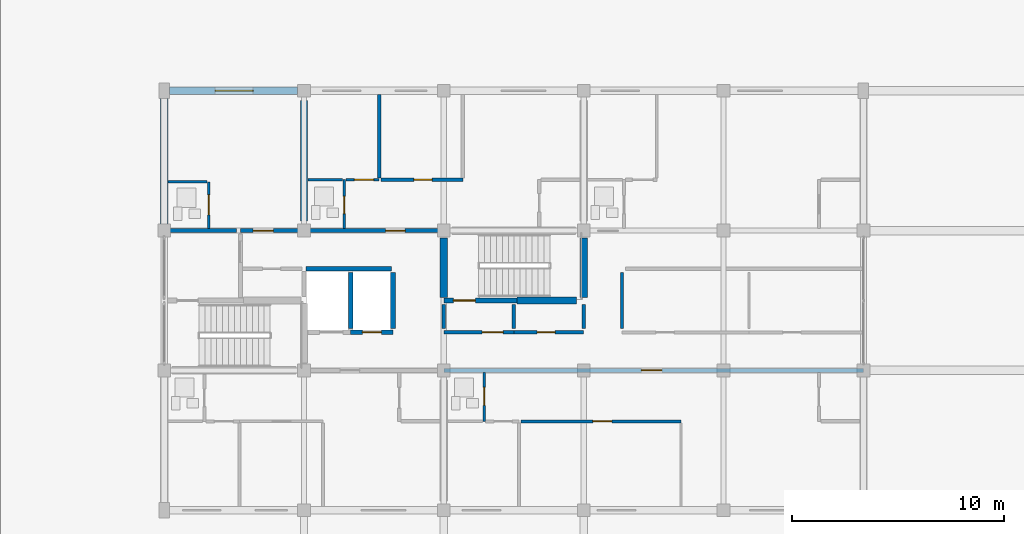
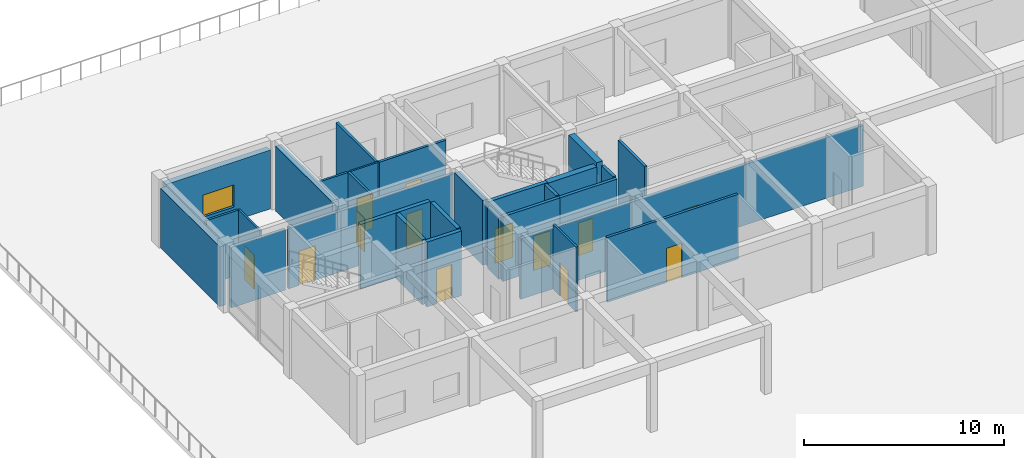
# One storey, part 72 of 92: 30 walls, 13 doors, 1 window, 14 openings.
"""IFC4 building model written with IfcOpenShell, lengths in metres."""

from ifc_helpers import new_model, si_unit, direction, frame, frame_2d, origin, place, context, subcontext, project, spatial, rectangle, extrude, material, layer, layer_set, type_object, element, fill, save


model = new_model("IFC4")

# Units and contexts
model_context = context("Model", 3, precision=1e-05, world=origin(), true_north=direction((0.0, 1.0)))
body_context = subcontext(model_context, "Body", "Model", "MODEL_VIEW")
ifc_project = project(units=[si_unit("LENGTHUNIT", "METRE"), si_unit("AREAUNIT", "SQUARE_METRE"), si_unit("VOLUMEUNIT", "CUBIC_METRE"), si_unit("PLANEANGLEUNIT", "RADIAN"), si_unit("MASSUNIT", "GRAM", prefix="KILO")], contexts=[model_context])

# Site, building, storey
site_placement = place(None, origin())
site = spatial("IfcSite", under=ifc_project, at=site_placement, CompositionType="ELEMENT")
building_placement = place(site_placement, origin())
building = spatial("IfcBuilding", under=site, at=building_placement, Name="Kernevlak Ridge Housing Community", CompositionType="ELEMENT")
storey_placement = place(building_placement, frame((0.0, 0.0, 4.199951171875)))
storey = spatial("IfcBuildingStorey", under=building, at=storey_placement, Name="L01", CompositionType="ELEMENT", Elevation=4.199951171875)

# Wall, opening, window
ifc_material_1 = material(Name="Concrete block masonry M10", Category="masonry")
ifc_layer_1 = layer(ifc_material_1, 0.340087890625, Name="Concrete block masonry M10")
ifc_layer_set_1 = layer_set([ifc_layer_1], Name="Concrete block masonry M10")
wall_type_1 = type_object("IfcWallType", Name="EW-04", PredefinedType="STANDARD", material=ifc_layer_set_1)
wall_1_placement = place(storey_placement, frame((15.85009765625, 95.800048828125, 0.0), z_axis=(0.0, 0.0, 1.0), x_axis=(1.0, 0.0, 0.0)))
wall_1 = element("IfcWall", 1, at=wall_1_placement, inside=storey, type_object=wall_type_1, Name="Exterior wall EW-04 L01 20", PredefinedType="STANDARD", context=body_context, shape_type="SweptSolid", body=[
    extrude(rectangle(XDim=6.0498046875, YDim=0.340087890625, at=frame_2d((3.02490234375, 0.0))), origin(), (0.0, 0.0, 1.0), 3.60009765625),
])
opening_1_placement = place(wall_1_placement, frame((2.14990234375, 0.0, 0.85009765625)))
opening_1 = element("IfcOpeningElement", 2, at=opening_1_placement, cuts=wall_1, Name="Opening WT-03", PredefinedType="OPENING", context=body_context, shape_type="SweptSolid", body=[
    extrude(rectangle(XDim=1.800048828125, YDim=1.35009765625, at=frame_2d((0.89990234375, 0.675048828125))), frame((0.0, 0.179931640625, 0.0), z_axis=(0.0, -1.0, 0.0), x_axis=(1.0, 0.0, 0.0)), (0.0, 0.0, 1.0), 0.360107421875),
])
ifc_material_2 = material(Name="Aluminium EN AW-6060 anodised and laminated glass", Category="aluminium")
window_type = type_object("IfcWindowType", Name="WT-03", PartitioningType="SINGLE_PANEL", PredefinedType="WINDOW", material=ifc_material_2)
window_placement = place(opening_1_placement, origin())
window = element("IfcWindow", 3, at=window_placement, inside=storey, type_object=window_type, Name="Window WT-03 L01 16", OverallHeight=1.35009765625, OverallWidth=1.800048828125, PartitioningType="SINGLE_PANEL", PredefinedType="WINDOW", context=body_context, shape_type="SweptSolid", body=[
    extrude(rectangle(XDim=1.800048828125, YDim=1.35009765625, at=frame_2d((0.89990234375, 0.675048828125))), frame((0.0, 0.030029296875, 0.0), z_axis=(0.0, -1.0, 0.0), x_axis=(1.0, 0.0, 0.0)), (0.0, 0.0, 1.0), 0.06005859375),
])
fill(opening_1, window)

# Wall
wall_2_placement = place(storey_placement, frame((15.60009765625, 89.5, 0.0), z_axis=(0.0, 0.0, 1.0), x_axis=(0.0, 1.0, 0.0)))
element("IfcWall", 4, at=wall_2_placement, inside=storey, type_object=wall_type_1, Name="Exterior wall EW-04 L01 26", PredefinedType="STANDARD", context=body_context, shape_type="SweptSolid", body=[
    extrude(rectangle(XDim=5.925048828125, YDim=0.340087890625, at=frame_2d((2.96240234375, 0.0))), origin(), (0.0, 0.0, 1.0), 3.650146484375),
])

# Wall, opening, door
ifc_material_3 = material(Name="Concrete C35/45", Category="concrete")
ifc_layer_2 = layer(ifc_material_3, 0.22509765625, Name="Concrete C35/45")
ifc_layer_set_2 = layer_set([ifc_layer_2], Name="Concrete C35/45")
wall_type_2 = type_object("IfcWallType", Name="PW-01", PredefinedType="STANDARD", material=ifc_layer_set_2)
wall_3_placement = place(storey_placement, frame((24.39990234375, 84.39990234375, 0.0), z_axis=(0.0, 0.0, 1.0), x_axis=(1.0, 0.0, 0.0)))
wall_3 = element("IfcWall", 5, at=wall_3_placement, inside=storey, type_object=wall_type_2, Name="Interior wall PW-01 WAL-INT-L01-0078", PredefinedType="STANDARD", context=body_context, shape_type="SweptSolid", body=[
    extrude(rectangle(XDim=2.0, YDim=0.22509765625, at=frame_2d((1.0, 0.0))), origin(), (0.0, 0.0, 1.0), 3.9599609375),
])
opening_2_placement = place(wall_3_placement, frame((0.550048828125, 0.0, 0.0)))
opening_2 = element("IfcOpeningElement", 6, at=opening_2_placement, cuts=wall_3, Name="Opening LD05", PredefinedType="OPENING", context=body_context, shape_type="SweptSolid", body=[
    extrude(rectangle(XDim=0.89990234375, YDim=2.10009765625, at=frame_2d((0.449951171875, 1.050048828125))), frame((0.0, 0.12255859375, 0.0), z_axis=(0.0, -1.0, 0.0), x_axis=(1.0, 0.0, 0.0)), (0.0, 0.0, 1.0), 0.2451171875),
])
ifc_material_4 = material(Name="Stainless steel EN 1.4401", Category="steel")
door_type_1 = type_object("IfcDoorType", Name="DT-LD2", OperationType="DOUBLE_DOOR_SLIDING", PredefinedType="DOOR", material=ifc_material_4)
door_1_placement = place(opening_2_placement, origin())
door_1 = element("IfcDoor", 7, at=door_1_placement, inside=storey, type_object=door_type_1, Name="Lift LF-A2 landing door LD05", OperationType="DOUBLE_DOOR_SLIDING", OverallHeight=2.10009765625, OverallWidth=0.89990234375, PredefinedType="DOOR", context=body_context, shape_type="SweptSolid", body=[
    extrude(rectangle(XDim=0.89990234375, YDim=2.10009765625, at=frame_2d((0.449951171875, 1.050048828125))), frame((0.0, 0.02490234375, 0.0), z_axis=(0.0, -1.0, 0.0), x_axis=(1.0, 0.0, 0.0)), (0.0, 0.0, 1.0), 0.050048828125),
])
fill(opening_2, door_1)

# Walls
wall_4_placement = place(storey_placement, frame((22.297607421875, 87.39990234375, 0.0), z_axis=(0.0, 0.0, 1.0), x_axis=(1.0, 0.0, 0.0)))
element("IfcWall", 8, at=wall_4_placement, inside=storey, type_object=wall_type_2, Name="Interior wall PW-01 WAL-INT-L01-0079", PredefinedType="STANDARD", context=body_context, shape_type="SweptSolid", body=[
    extrude(rectangle(XDim=4.0224609375, YDim=0.22509765625, at=frame_2d((2.01123046875, 0.0))), origin(), (0.0, 0.0, 1.0), 3.9599609375),
])
for number, where, z_axis, x_axis, name in (
    (9, (24.39990234375, 84.580078125, 0.0), (0.0, 0.0, 1.0), (0.0, 1.0, 0.0), "Interior wall PW-01 WAL-INT-L01-0081"),
    (10, (26.39990234375, 84.580078125, 0.0), (0.0, 0.0, 1.0), (0.0, 1.0, 0.0), "Interior wall PW-01 WAL-INT-L01-0082"),
):
    element("IfcWall", number, at=place(storey_placement, frame(where, z_axis=z_axis, x_axis=x_axis)), inside=storey, type_object=wall_type_2, Name=name, PredefinedType="STANDARD", context=body_context, shape_type="SweptSolid", body=[
        extrude(rectangle(XDim=2.639892578125, YDim=0.22509765625, at=frame_2d((1.31982421875, 0.0))), origin(), (0.0, 0.0, 1.0), 3.9599609375),
    ])

# Wall, opening, door
wall_5_placement = place(storey_placement, frame((28.800048828125, 85.89990234375, 0.0), z_axis=(0.0, 0.0, 1.0), x_axis=(1.0, 0.0, 0.0)))
wall_5 = element("IfcWall", 11, at=wall_5_placement, inside=storey, type_object=wall_type_2, Name="Interior wall PW-01 WAL-INT-L01-0083", PredefinedType="STANDARD", context=body_context, shape_type="SweptSolid", body=[
    extrude(rectangle(XDim=3.449951171875, YDim=0.22509765625, at=frame_2d((1.72509765625, 0.0))), origin(), (0.0, 0.0, 1.0), 3.9599609375),
])
opening_3_placement = place(wall_5_placement, frame((0.449951171875, 0.0, 0.0)))
opening_3 = element("IfcOpeningElement", 12, at=opening_3_placement, cuts=wall_5, Name="Opening D039", PredefinedType="OPENING", context=body_context, shape_type="SweptSolid", body=[
    extrude(rectangle(XDim=1.0400390625, YDim=2.1201171875, at=frame_2d((0.52001953125, 1.06005859375))), frame((0.0, 0.12255859375, 0.0), z_axis=(0.0, -1.0, 0.0), x_axis=(1.0, 0.0, 0.0)), (0.0, 0.0, 1.0), 0.2451171875),
])
ifc_material_5 = material(Name="Fire-rated sheet steel leaf", Category="steel")
door_type_2 = type_object("IfcDoorType", Name="DT-16", OperationType="NOTDEFINED", PredefinedType="DOOR", material=ifc_material_5)
door_2_placement = place(opening_3_placement, origin())
door_2 = element("IfcDoor", 13, at=door_2_placement, inside=storey, type_object=door_type_2, Name="Block A Stair 2 fire door D039", OperationType="SINGLE_SWING_LEFT", OverallHeight=2.1201171875, OverallWidth=1.0400390625, PredefinedType="DOOR", context=body_context, shape_type="SweptSolid", body=[
    extrude(rectangle(XDim=1.0400390625, YDim=2.1201171875, at=frame_2d((0.52001953125, 1.06005859375))), frame((0.0, 0.02490234375, 0.0), z_axis=(0.0, -1.0, 0.0), x_axis=(1.0, 0.0, 0.0)), (0.0, 0.0, 1.0), 0.050048828125),
])
fill(opening_3, door_2)

ifc_layer_3 = layer(ifc_material_1, 0.175048828125, Name="Concrete block masonry M10")
ifc_layer_set_3 = layer_set([ifc_layer_3], Name="Concrete block masonry M10")
wall_type_3 = type_object("IfcWallType", Name="PW-02", PredefinedType="PARTITIONING", material=ifc_layer_set_3)
wall_6_placement = place(storey_placement, frame((28.800048828125, 84.39990234375, 0.0), z_axis=(0.0, 0.0, 1.0), x_axis=(1.0, 0.0, 0.0)))
wall_6 = element("IfcWall", 14, at=wall_6_placement, inside=storey, type_object=wall_type_3, Name="Interior wall PW-02 WAL-INT-L01-0084", PredefinedType="PARTITIONING", context=body_context, shape_type="SweptSolid", body=[
    extrude(rectangle(XDim=3.300048828125, YDim=0.175048828125, at=frame_2d((1.64990234375, 0.0))), origin(), (0.0, 0.0, 1.0), 3.9599609375),
])
opening_4_placement = place(wall_6_placement, frame((1.800048828125, 0.0, 0.0)))
opening_4 = element("IfcOpeningElement", 15, at=opening_4_placement, cuts=wall_6, Name="Opening D040", PredefinedType="OPENING", context=body_context, shape_type="SweptSolid", body=[
    extrude(rectangle(XDim=1.0, YDim=2.10009765625, at=frame_2d((0.5, 1.050048828125))), frame((0.0, 0.097412109375, 0.0), z_axis=(0.0, -1.0, 0.0), x_axis=(1.0, 0.0, 0.0)), (0.0, 0.0, 1.0), 0.195068359375),
])
door_type_3 = type_object("IfcDoorType", Name="DT-05", OperationType="NOTDEFINED", PredefinedType="DOOR", material=ifc_material_5)
door_3_placement = place(opening_4_placement, origin())
door_3 = element("IfcDoor", 16, at=door_3_placement, inside=storey, type_object=door_type_3, Name="Block A Firefighting lobby 2 door D040", OperationType="SINGLE_SWING_RIGHT", OverallHeight=2.10009765625, OverallWidth=1.0, PredefinedType="DOOR", context=body_context, shape_type="SweptSolid", body=[
    extrude(rectangle(XDim=1.0, YDim=2.10009765625, at=frame_2d((0.5, 1.050048828125))), frame((0.0, 0.02490234375, 0.0), z_axis=(0.0, -1.0, 0.0), x_axis=(1.0, 0.0, 0.0)), (0.0, 0.0, 1.0), 0.050048828125),
])
fill(opening_4, door_3)

wall_7_placement = place(storey_placement, frame((32.10009765625, 84.39990234375, 0.0), z_axis=(0.0, 0.0, 1.0), x_axis=(1.0, 0.0, 0.0)))
wall_7 = element("IfcWall", 17, at=wall_7_placement, inside=storey, type_object=wall_type_3, Name="Interior wall PW-02 WAL-INT-L01-0085", PredefinedType="PARTITIONING", context=body_context, shape_type="SweptSolid", body=[
    extrude(rectangle(XDim=3.2998046875, YDim=0.175048828125, at=frame_2d((1.64990234375, 0.0))), origin(), (0.0, 0.0, 1.0), 3.9599609375),
])
opening_5_placement = place(wall_7_placement, frame((1.10009765625, 0.0, 0.0)))
opening_5 = element("IfcOpeningElement", 18, at=opening_5_placement, cuts=wall_7, Name="Opening D041", PredefinedType="OPENING", context=body_context, shape_type="SweptSolid", body=[
    extrude(rectangle(XDim=0.85009765625, YDim=2.0, at=frame_2d((0.425048828125, 1.0))), frame((0.0, 0.097412109375, 0.0), z_axis=(0.0, -1.0, 0.0), x_axis=(1.0, 0.0, 0.0)), (0.0, 0.0, 1.0), 0.195068359375),
])
door_type_4 = type_object("IfcDoorType", Name="DT-07", OperationType="NOTDEFINED", PredefinedType="DOOR", material=ifc_material_5)
door_4_placement = place(opening_5_placement, origin())
door_4 = element("IfcDoor", 19, at=door_4_placement, inside=storey, type_object=door_type_4, Name="Block A Cleaner store door D041", OperationType="SINGLE_SWING_LEFT", OverallHeight=2.0, OverallWidth=0.85009765625, PredefinedType="DOOR", context=body_context, shape_type="SweptSolid", body=[
    extrude(rectangle(XDim=0.85009765625, YDim=2.0, at=frame_2d((0.425048828125, 1.0))), frame((0.0, 0.02490234375, 0.0), z_axis=(0.0, -1.0, 0.0), x_axis=(1.0, 0.0, 0.0)), (0.0, 0.0, 1.0), 0.050048828125),
])
fill(opening_5, door_4)

# Walls
wall_8_placement = place(storey_placement, frame((28.800048828125, 84.580078125, 0.0), z_axis=(0.0, 0.0, 1.0), x_axis=(0.0, 1.0, 0.0)))
element("IfcWall", 20, at=wall_8_placement, inside=storey, type_object=wall_type_3, Name="Interior wall PW-02 WAL-INT-L01-0086", PredefinedType="PARTITIONING", context=body_context, shape_type="SweptSolid", body=[
    extrude(rectangle(XDim=1.139892578125, YDim=0.175048828125, at=frame_2d((0.56982421875, 0.0))), origin(), (0.0, 0.0, 1.0), 3.75),
])
for number, where, z_axis, x_axis, name in (
    (21, (32.10009765625, 84.580078125, 0.0), (0.0, 0.0, 1.0), (0.0, 1.0, 0.0), "Interior wall PW-02 WAL-INT-L01-0087"),
    (22, (35.39990234375, 84.580078125, 0.0), (0.0, 0.0, 1.0), (0.0, 1.0, 0.0), "Interior wall PW-02 WAL-INT-L01-0088"),
):
    element("IfcWall", number, at=place(storey_placement, frame(where, z_axis=z_axis, x_axis=x_axis)), inside=storey, type_object=wall_type_3, Name=name, PredefinedType="PARTITIONING", context=body_context, shape_type="SweptSolid", body=[
        extrude(rectangle(XDim=1.139892578125, YDim=0.175048828125, at=frame_2d((0.56982421875, 0.0))), origin(), (0.0, 0.0, 1.0), 3.9599609375),
    ])

# Wall, opening, door
wall_9_placement = place(storey_placement, frame((28.800048828125, 82.60009765625, 0.0), z_axis=(0.0, 0.0, 1.0), x_axis=(1.0, 0.0, 0.0)))
wall_9 = element("IfcWall", 23, at=wall_9_placement, inside=storey, type_object=wall_type_3, Name="Interior wall PW-02 WAL-INT-L01-0103", PredefinedType="PARTITIONING", context=body_context, shape_type="SweptSolid", body=[
    extrude(rectangle(XDim=19.800048828125, YDim=0.175048828125, at=frame_2d((9.89990234375, 0.0))), origin(), (0.0, 0.0, 1.0), 3.699951171875),
])
opening_6_placement = place(wall_9_placement, frame((9.324951171875, 0.0, 0.0)))
opening_6 = element("IfcOpeningElement", 24, at=opening_6_placement, cuts=wall_9, Name="Opening D049", PredefinedType="OPENING", context=body_context, shape_type="SweptSolid", body=[
    extrude(rectangle(XDim=0.9599609375, YDim=2.179931640625, at=frame_2d((0.47998046875, 1.08984375))), frame((0.0, 0.097412109375, 0.0), z_axis=(0.0, -1.0, 0.0), x_axis=(1.0, 0.0, 0.0)), (0.0, 0.0, 1.0), 0.195068359375),
])
ifc_material_6 = material(Name="Hardwood timber solid-core fire leaf", Category="wood")
door_type_5 = type_object("IfcDoorType", Name="DT-29", OperationType="NOTDEFINED", PredefinedType="DOOR", material=ifc_material_6)
door_5_placement = place(opening_6_placement, origin())
door_5 = element("IfcDoor", 25, at=door_5_placement, inside=storey, type_object=door_type_5, Name="Flat A0112 entrance fire door D049", OperationType="SINGLE_SWING_LEFT", OverallHeight=2.179931640625, OverallWidth=0.9599609375, PredefinedType="DOOR", context=body_context, shape_type="SweptSolid", body=[
    extrude(rectangle(XDim=0.9599609375, YDim=2.179931640625, at=frame_2d((0.47998046875, 1.08984375))), frame((0.0, 0.02490234375, 0.0), z_axis=(0.0, -1.0, 0.0), x_axis=(1.0, 0.0, 0.0)), (0.0, 0.0, 1.0), 0.050048828125),
])
fill(opening_6, door_5)

# Wall
wall_10_placement = place(storey_placement, frame((15.8798828125, 89.199951171875, 0.0), z_axis=(0.0, 0.0, 1.0), x_axis=(1.0, 0.0, 0.0)))
element("IfcWall", 26, at=wall_10_placement, inside=storey, type_object=wall_type_3, Name="Interior wall PW-02 WAL-INT-L01-0112", PredefinedType="PARTITIONING", context=body_context, shape_type="SweptSolid", body=[
    extrude(rectangle(XDim=3.14013671875, YDim=0.175048828125, at=frame_2d((1.570068359375, 0.0))), origin(), (0.0, 0.0, 1.0), 3.699951171875),
])

# Wall, opening, door
wall_11_placement = place(storey_placement, frame((19.199951171875, 89.199951171875, 0.0), z_axis=(0.0, 0.0, 1.0), x_axis=(1.0, 0.0, 0.0)))
wall_11 = element("IfcWall", 27, at=wall_11_placement, inside=storey, type_object=wall_type_3, Name="Interior wall PW-02 WAL-INT-L01-0113", PredefinedType="PARTITIONING", context=body_context, shape_type="SweptSolid", body=[
    extrude(rectangle(XDim=3.0, YDim=0.175048828125, at=frame_2d((1.5, 0.0))), origin(), (0.0, 0.0, 1.0), 3.699951171875),
])
opening_7_placement = place(wall_11_placement, frame((0.60009765625, 0.0, 0.0)))
opening_7 = element("IfcOpeningElement", 28, at=opening_7_placement, cuts=wall_11, Name="Opening D054", PredefinedType="OPENING", context=body_context, shape_type="SweptSolid", body=[
    extrude(rectangle(XDim=0.949951171875, YDim=2.10009765625, at=frame_2d((0.47509765625, 1.050048828125))), frame((0.0, 0.097412109375, 0.0), z_axis=(0.0, -1.0, 0.0), x_axis=(1.0, 0.0, 0.0)), (0.0, 0.0, 1.0), 0.195068359375),
])
door_type_6 = type_object("IfcDoorType", Name="DT-01", OperationType="NOTDEFINED", PredefinedType="DOOR", material=ifc_material_6)
door_6_placement = place(opening_7_placement, origin())
door_6 = element("IfcDoor", 29, at=door_6_placement, inside=storey, type_object=door_type_6, Name="Flat A0121 entrance fire door D054", OperationType="SINGLE_SWING_RIGHT", OverallHeight=2.10009765625, OverallWidth=0.949951171875, PredefinedType="DOOR", context=body_context, shape_type="SweptSolid", body=[
    extrude(rectangle(XDim=0.949951171875, YDim=2.10009765625, at=frame_2d((0.47509765625, 1.050048828125))), frame((0.0, 0.02490234375, 0.0), z_axis=(0.0, -1.0, 0.0), x_axis=(1.0, 0.0, 0.0)), (0.0, 0.0, 1.0), 0.050048828125),
])
fill(opening_7, door_6)

wall_12_placement = place(storey_placement, frame((22.199951171875, 89.199951171875, 0.0), z_axis=(0.0, 0.0, 1.0), x_axis=(1.0, 0.0, 0.0)))
wall_12 = element("IfcWall", 30, at=wall_12_placement, inside=storey, type_object=wall_type_3, Name="Interior wall PW-02 WAL-INT-L01-0116", PredefinedType="PARTITIONING", context=body_context, shape_type="SweptSolid", body=[
    extrude(rectangle(XDim=6.60009765625, YDim=0.175048828125, at=frame_2d((3.300048828125, 0.0))), origin(), (0.0, 0.0, 1.0), 3.699951171875),
])
opening_8_placement = place(wall_12_placement, frame((3.85009765625, 0.0, 0.0)))
opening_8 = element("IfcOpeningElement", 31, at=opening_8_placement, cuts=wall_12, Name="Opening D056", PredefinedType="OPENING", context=body_context, shape_type="SweptSolid", body=[
    extrude(rectangle(XDim=0.919921875, YDim=2.139892578125, at=frame_2d((0.4599609375, 1.06982421875))), frame((0.0, 0.097412109375, 0.0), z_axis=(0.0, -1.0, 0.0), x_axis=(1.0, 0.0, 0.0)), (0.0, 0.0, 1.0), 0.195068359375),
])
door_type_7 = type_object("IfcDoorType", Name="DT-20", OperationType="NOTDEFINED", PredefinedType="DOOR", material=ifc_material_6)
door_7_placement = place(opening_8_placement, origin())
door_7 = element("IfcDoor", 32, at=door_7_placement, inside=storey, type_object=door_type_7, Name="Flat A0122 entrance fire door D056", OperationType="SINGLE_SWING_RIGHT", OverallHeight=2.139892578125, OverallWidth=0.919921875, PredefinedType="DOOR", context=body_context, shape_type="SweptSolid", body=[
    extrude(rectangle(XDim=0.919921875, YDim=2.139892578125, at=frame_2d((0.4599609375, 1.06982421875))), frame((0.0, 0.02490234375, 0.0), z_axis=(0.0, -1.0, 0.0), x_axis=(1.0, 0.0, 0.0)), (0.0, 0.0, 1.0), 0.050048828125),
])
fill(opening_8, door_7)

# Wall
ifc_layer_4 = layer(ifc_material_1, 0.14501953125, Name="Concrete block masonry M10")
ifc_layer_set_4 = layer_set([ifc_layer_4], Name="Concrete block masonry M10")
wall_type_4 = type_object("IfcWallType", Name="PW-03", PredefinedType="PARTITIONING", material=ifc_layer_set_4)
wall_13_placement = place(storey_placement, frame((37.199951171875, 84.580078125, 0.0), z_axis=(0.0, 0.0, 1.0), x_axis=(0.0, 1.0, 0.0)))
element("IfcWall", 33, at=wall_13_placement, inside=storey, type_object=wall_type_4, Name="Interior wall PW-03 WAL-INT-L01-0093", PredefinedType="PARTITIONING", context=body_context, shape_type="SweptSolid", body=[
    extrude(rectangle(XDim=2.639892578125, YDim=0.14501953125, at=frame_2d((1.31982421875, 0.0))), origin(), (0.0, 0.0, 1.0), 3.9599609375),
])

# Wall, opening, door
wall_14_placement = place(storey_placement, frame((32.4326171875, 80.199951171875, 0.0), z_axis=(0.0, 0.0, 1.0), x_axis=(1.0, 0.0, 0.0)))
wall_14 = element("IfcWall", 34, at=wall_14_placement, inside=storey, type_object=wall_type_4, Name="Interior wall PW-03 WAL-INT-L01-0110", PredefinedType="PARTITIONING", context=body_context, shape_type="SweptSolid", body=[
    extrude(rectangle(XDim=7.555419921875, YDim=0.14501953125, at=frame_2d((3.77783203125, 0.0))), origin(), (0.0, 0.0, 1.0), 3.9599609375),
])
opening_9_placement = place(wall_14_placement, frame((3.39404296875, 0.0, 0.0)))
opening_9 = element("IfcOpeningElement", 35, at=opening_9_placement, cuts=wall_14, Name="Opening D053", PredefinedType="OPENING", context=body_context, shape_type="SweptSolid", body=[
    extrude(rectangle(XDim=0.89990234375, YDim=2.10009765625, at=frame_2d((0.449951171875, 1.050048828125))), frame((0.0, 0.08251953125, 0.0), z_axis=(0.0, -1.0, 0.0), x_axis=(1.0, 0.0, 0.0)), (0.0, 0.0, 1.0), 0.1650390625),
])
ifc_material_7 = material(Name="Hardwood timber leaf", Category="wood")
door_type_8 = type_object("IfcDoorType", Name="DT-21", OperationType="NOTDEFINED", PredefinedType="DOOR", material=ifc_material_7)
door_8_placement = place(opening_9_placement, origin())
door_8 = element("IfcDoor", 36, at=door_8_placement, inside=storey, type_object=door_type_8, Name="Flat A0112 bedroom door D053", OperationType="SINGLE_SWING_LEFT", OverallHeight=2.10009765625, OverallWidth=0.89990234375, PredefinedType="DOOR", context=body_context, shape_type="SweptSolid", body=[
    extrude(rectangle(XDim=0.89990234375, YDim=2.10009765625, at=frame_2d((0.449951171875, 1.050048828125))), frame((0.0, 0.02490234375, 0.0), z_axis=(0.0, -1.0, 0.0), x_axis=(1.0, 0.0, 0.0)), (0.0, 0.0, 1.0), 0.050048828125),
])
fill(opening_9, door_8)

# Wall
wall_15_placement = place(storey_placement, frame((25.75, 91.679931640625, 0.0), z_axis=(0.0, 0.0, 1.0), x_axis=(0.0, 1.0, 0.0)))
element("IfcWall", 37, at=wall_15_placement, inside=storey, type_object=wall_type_4, Name="Interior wall PW-03 WAL-INT-L01-0122", PredefinedType="PARTITIONING", context=body_context, shape_type="SweptSolid", body=[
    extrude(rectangle(XDim=3.940185546875, YDim=0.14501953125, at=frame_2d((1.97021484375, 0.0))), origin(), (0.0, 0.0, 1.0), 3.9599609375),
])

# Wall, opening, door
wall_16_placement = place(storey_placement, frame((25.83251953125, 91.60009765625, 0.0), z_axis=(0.0, 0.0, 1.0), x_axis=(1.0, 0.0, 0.0)))
wall_16 = element("IfcWall", 38, at=wall_16_placement, inside=storey, type_object=wall_type_4, Name="Interior wall PW-03 WAL-INT-L01-0123", PredefinedType="PARTITIONING", context=body_context, shape_type="SweptSolid", body=[
    extrude(rectangle(XDim=3.859375, YDim=0.14501953125, at=frame_2d((1.9296875, 0.0))), origin(), (0.0, 0.0, 1.0), 3.9599609375),
])
opening_10_placement = place(wall_16_placement, frame((1.5458984375, 0.0, 0.0)))
opening_10 = element("IfcOpeningElement", 39, at=opening_10_placement, cuts=wall_16, Name="Opening D060", PredefinedType="OPENING", context=body_context, shape_type="SweptSolid", body=[
    extrude(rectangle(XDim=0.8701171875, YDim=2.080078125, at=frame_2d((0.43505859375, 1.0400390625))), frame((0.0, 0.08251953125, 0.0), z_axis=(0.0, -1.0, 0.0), x_axis=(1.0, 0.0, 0.0)), (0.0, 0.0, 1.0), 0.1650390625),
])
door_type_9 = type_object("IfcDoorType", Name="DT-32", OperationType="NOTDEFINED", PredefinedType="DOOR", material=ifc_material_7)
door_9_placement = place(opening_10_placement, origin())
door_9 = element("IfcDoor", 40, at=door_9_placement, inside=storey, type_object=door_type_9, Name="Flat A0122 bedroom door D060", OperationType="SINGLE_SWING_RIGHT", OverallHeight=2.080078125, OverallWidth=0.8701171875, PredefinedType="DOOR", context=body_context, shape_type="SweptSolid", body=[
    extrude(rectangle(XDim=0.8701171875, YDim=2.080078125, at=frame_2d((0.43505859375, 1.0400390625))), frame((0.0, 0.02490234375, 0.0), z_axis=(0.0, -1.0, 0.0), x_axis=(1.0, 0.0, 0.0)), (0.0, 0.0, 1.0), 0.050048828125),
])
fill(opening_10, door_9)

ifc_material_8 = material(Name="Gypsum plasterboard EN 520", Category="gypsum")
ifc_layer_5 = layer(ifc_material_8, 0.125, Name="Gypsum plasterboard EN 520")
ifc_layer_set_5 = layer_set([ifc_layer_5], Name="Gypsum plasterboard EN 520")
wall_type_5 = type_object("IfcWallType", Name="PW-04", PredefinedType="PARTITIONING", material=ifc_layer_set_5)
wall_17_placement = place(storey_placement, frame((30.699951171875, 82.50244140625, 0.0), z_axis=(0.0, 0.0, 1.0), x_axis=(0.0, -1.0, 0.0)))
wall_17 = element("IfcWall", 41, at=wall_17_placement, inside=storey, type_object=wall_type_5, Name="Interior wall PW-04 WAL-INT-L01-0104", PredefinedType="PARTITIONING", context=body_context, shape_type="SweptSolid", body=[
    extrude(rectangle(XDim=2.302490234375, YDim=0.125, at=frame_2d((1.1513671875, 0.0))), origin(), (0.0, 0.0, 1.0), 3.9599609375),
])
opening_11_placement = place(wall_17_placement, frame((0.699951171875, 0.0, 0.0)))
opening_11 = element("IfcOpeningElement", 42, at=opening_11_placement, cuts=wall_17, Name="Opening D050", PredefinedType="OPENING", context=body_context, shape_type="SweptSolid", body=[
    extrude(rectangle(XDim=0.85009765625, YDim=2.0400390625, at=frame_2d((0.425048828125, 1.02001953125))), frame((0.0, 0.072509765625, 0.0), z_axis=(0.0, -1.0, 0.0), x_axis=(1.0, 0.0, 0.0)), (0.0, 0.0, 1.0), 0.14501953125),
])
ifc_material_9 = material(Name="Hardwood timber moisture-resistant leaf", Category="wood")
door_type_10 = type_object("IfcDoorType", Name="DT-04", OperationType="NOTDEFINED", PredefinedType="DOOR", material=ifc_material_9)
door_10_placement = place(opening_11_placement, origin())
door_10 = element("IfcDoor", 43, at=door_10_placement, inside=storey, type_object=door_type_10, Name="Flat A0112 bathroom door D050", OperationType="SINGLE_SWING_RIGHT", OverallHeight=2.0400390625, OverallWidth=0.85009765625, PredefinedType="DOOR", context=body_context, shape_type="SweptSolid", body=[
    extrude(rectangle(XDim=0.85009765625, YDim=2.0400390625, at=frame_2d((0.425048828125, 1.02001953125))), frame((0.0, 0.02490234375, 0.0), z_axis=(0.0, -1.0, 0.0), x_axis=(1.0, 0.0, 0.0)), (0.0, 0.0, 1.0), 0.050048828125),
])
fill(opening_11, door_10)

wall_18_placement = place(storey_placement, frame((17.699951171875, 89.297607421875, 0.0), z_axis=(0.0, 0.0, 1.0), x_axis=(0.0, 1.0, 0.0)))
wall_18 = element("IfcWall", 44, at=wall_18_placement, inside=storey, type_object=wall_type_5, Name="Interior wall PW-04 WAL-INT-L01-0114", PredefinedType="PARTITIONING", context=body_context, shape_type="SweptSolid", body=[
    extrude(rectangle(XDim=2.202392578125, YDim=0.125, at=frame_2d((1.10107421875, 0.0))), origin(), (0.0, 0.0, 1.0), 3.9599609375),
])
opening_12_placement = place(wall_18_placement, frame((0.64990234375, 0.0, 0.0)))
opening_12 = element("IfcOpeningElement", 45, at=opening_12_placement, cuts=wall_18, Name="Opening D055", PredefinedType="OPENING", context=body_context, shape_type="SweptSolid", body=[
    extrude(rectangle(XDim=0.93994140625, YDim=2.080078125, at=frame_2d((0.469970703125, 1.0400390625))), frame((0.0, 0.072509765625, 0.0), z_axis=(0.0, -1.0, 0.0), x_axis=(1.0, 0.0, 0.0)), (0.0, 0.0, 1.0), 0.14501953125),
])
door_type_11 = type_object("IfcDoorType", Name="DT-23", OperationType="NOTDEFINED", PredefinedType="DOOR", material=ifc_material_9)
door_11_placement = place(opening_12_placement, origin())
door_11 = element("IfcDoor", 46, at=door_11_placement, inside=storey, type_object=door_type_11, Name="Flat A0121 bathroom door D055", OperationType="SINGLE_SWING_LEFT", OverallHeight=2.080078125, OverallWidth=0.93994140625, PredefinedType="DOOR", context=body_context, shape_type="SweptSolid", body=[
    extrude(rectangle(XDim=0.93994140625, YDim=2.080078125, at=frame_2d((0.469970703125, 1.0400390625))), frame((0.0, 0.02490234375, 0.0), z_axis=(0.0, -1.0, 0.0), x_axis=(1.0, 0.0, 0.0)), (0.0, 0.0, 1.0), 0.050048828125),
])
fill(opening_12, door_11)

# Wall
wall_19_placement = place(storey_placement, frame((15.780029296875, 91.5, 0.0), z_axis=(0.0, 0.0, 1.0), x_axis=(1.0, 0.0, 0.0)))
element("IfcWall", 47, at=wall_19_placement, inside=storey, type_object=wall_type_5, Name="Interior wall PW-04 WAL-INT-L01-0115", PredefinedType="PARTITIONING", context=body_context, shape_type="SweptSolid", body=[
    extrude(rectangle(XDim=1.840087890625, YDim=0.125, at=frame_2d((0.919921875, 0.0))), origin(), (0.0, 0.0, 1.0), 3.9599609375),
])

# Wall, opening, door
wall_20_placement = place(storey_placement, frame((24.10009765625, 89.297607421875, 0.0), z_axis=(0.0, 0.0, 1.0), x_axis=(0.0, 1.0, 0.0)))
wall_20 = element("IfcWall", 48, at=wall_20_placement, inside=storey, type_object=wall_type_5, Name="Interior wall PW-04 WAL-INT-L01-0117", PredefinedType="PARTITIONING", context=body_context, shape_type="SweptSolid", body=[
    extrude(rectangle(XDim=2.302490234375, YDim=0.125, at=frame_2d((1.1513671875, 0.0))), origin(), (0.0, 0.0, 1.0), 3.9599609375),
])
opening_13_placement = place(wall_20_placement, frame((0.699951171875, 0.0, 0.0)))
opening_13 = element("IfcOpeningElement", 49, at=opening_13_placement, cuts=wall_20, Name="Opening D057", PredefinedType="OPENING", context=body_context, shape_type="SweptSolid", body=[
    extrude(rectangle(XDim=0.820068359375, YDim=2.050048828125, at=frame_2d((0.41015625, 1.02490234375))), frame((0.0, 0.072509765625, 0.0), z_axis=(0.0, -1.0, 0.0), x_axis=(1.0, 0.0, 0.0)), (0.0, 0.0, 1.0), 0.14501953125),
])
door_type_12 = type_object("IfcDoorType", Name="DT-30", OperationType="NOTDEFINED", PredefinedType="DOOR", material=ifc_material_9)
door_12_placement = place(opening_13_placement, origin())
door_12 = element("IfcDoor", 50, at=door_12_placement, inside=storey, type_object=door_type_12, Name="Flat A0122 bathroom door D057", OperationType="SINGLE_SWING_LEFT", OverallHeight=2.050048828125, OverallWidth=0.820068359375, PredefinedType="DOOR", context=body_context, shape_type="SweptSolid", body=[
    extrude(rectangle(XDim=0.820068359375, YDim=2.050048828125, at=frame_2d((0.41015625, 1.02490234375))), frame((0.0, 0.02490234375, 0.0), z_axis=(0.0, -1.0, 0.0), x_axis=(1.0, 0.0, 0.0)), (0.0, 0.0, 1.0), 0.050048828125),
])
fill(opening_13, door_12)

# Wall
wall_21_placement = place(storey_placement, frame((22.385009765625, 91.60009765625, 0.0), z_axis=(0.0, 0.0, 1.0), x_axis=(1.0, 0.0, 0.0)))
element("IfcWall", 51, at=wall_21_placement, inside=storey, type_object=wall_type_5, Name="Interior wall PW-04 WAL-INT-L01-0118", PredefinedType="PARTITIONING", context=body_context, shape_type="SweptSolid", body=[
    extrude(rectangle(XDim=1.635009765625, YDim=0.125, at=frame_2d((0.8173828125, 0.0))), origin(), (0.0, 0.0, 1.0), 3.9599609375),
])

# Wall, opening, door
ifc_layer_6 = layer(ifc_material_8, 0.10498046875, Name="Gypsum plasterboard EN 520")
ifc_layer_set_6 = layer_set([ifc_layer_6], Name="Gypsum plasterboard EN 520")
wall_type_6 = type_object("IfcWallType", Name="PW-06", PredefinedType="PARTITIONING", material=ifc_layer_set_6)
wall_22_placement = place(storey_placement, frame((24.172607421875, 91.60009765625, 0.0), z_axis=(0.0, 0.0, 1.0), x_axis=(1.0, 0.0, 0.0)))
wall_22 = element("IfcWall", 52, at=wall_22_placement, inside=storey, type_object=wall_type_6, Name="Interior wall PW-06 WAL-INT-L01-0121", PredefinedType="PARTITIONING", context=body_context, shape_type="SweptSolid", body=[
    extrude(rectangle(XDim=1.577392578125, YDim=0.10498046875, at=frame_2d((0.78857421875, 0.0))), origin(), (0.0, 0.0, 1.0), 3.9599609375),
])
opening_14_placement = place(wall_22_placement, frame((0.39990234375, 0.0, 0.0)))
opening_14 = element("IfcOpeningElement", 53, at=opening_14_placement, cuts=wall_22, Name="Opening D059", PredefinedType="OPENING", context=body_context, shape_type="SweptSolid", body=[
    extrude(rectangle(XDim=0.909912109375, YDim=2.139892578125, at=frame_2d((0.455078125, 1.06982421875))), frame((0.0, 0.0625, 0.0), z_axis=(0.0, -1.0, 0.0), x_axis=(1.0, 0.0, 0.0)), (0.0, 0.0, 1.0), 0.125),
])
door_type_13 = type_object("IfcDoorType", Name="DT-31", OperationType="NOTDEFINED", PredefinedType="DOOR", material=ifc_material_7)
door_13_placement = place(opening_14_placement, origin())
door_13 = element("IfcDoor", 54, at=door_13_placement, inside=storey, type_object=door_type_13, Name="Flat A0122 bedroom door D059", OperationType="SINGLE_SWING_LEFT", OverallHeight=2.139892578125, OverallWidth=0.909912109375, PredefinedType="DOOR", context=body_context, shape_type="SweptSolid", body=[
    extrude(rectangle(XDim=0.909912109375, YDim=2.139892578125, at=frame_2d((0.455078125, 1.06982421875))), frame((0.0, 0.02490234375, 0.0), z_axis=(0.0, -1.0, 0.0), x_axis=(1.0, 0.0, 0.0)), (0.0, 0.0, 1.0), 0.050048828125),
])
fill(opening_14, door_13)

# Walls
ifc_material_10 = material(Name="Concrete C40/50", Category="concrete")
ifc_layer_7 = layer(ifc_material_10, 0.35009765625, Name="Concrete C40/50")
ifc_layer_set_7 = layer_set([ifc_layer_7], Name="Concrete C40/50")
wall_type_7 = type_object("IfcWallType", Name="SW-01", PredefinedType="SHEAR", material=ifc_layer_set_7)
for number, where, z_axis, x_axis, name in (
    (55, (32.25, 85.89990234375, 0.0), (0.0, 0.0, 1.0), (1.0, 0.0, 0.0), "Shear wall SW-01 Block A L01 25"),
    (56, (28.800048828125, 86.050048828125, 0.0), (0.0, 0.0, 1.0), (0.0, 1.0, 0.0), "Shear wall SW-01 Block A L01 26"),
    (57, (35.39990234375, 86.050048828125, 0.0), (0.0, 0.0, 1.0), (0.0, 1.0, 0.0), "Shear wall SW-01 Block A L01 27"),
):
    element("IfcWall", number, at=place(storey_placement, frame(where, z_axis=z_axis, x_axis=x_axis)), inside=storey, type_object=wall_type_7, Name=name, PredefinedType="SHEAR", context=body_context, shape_type="SweptSolid", body=[
        extrude(rectangle(XDim=2.800048828125, YDim=0.35009765625, at=frame_2d((1.39990234375, 0.0))), origin(), (0.0, 0.0, 1.0), 3.9599609375),
    ])
wall_23_placement = place(storey_placement, frame((22.199951171875, 89.64990234375, 0.0), z_axis=(0.0, 0.0, 1.0), x_axis=(0.0, 1.0, 0.0)))
element("IfcWall", 58, at=wall_23_placement, inside=storey, type_object=wall_type_7, Name="Shear wall SW-01 Block A L01 29", PredefinedType="SHEAR", context=body_context, shape_type="SweptSolid", body=[
    extrude(rectangle(XDim=5.7001953125, YDim=0.35009765625, at=frame_2d((2.85009765625, 0.0))), origin(), (0.0, 0.0, 1.0), 3.9599609375),
])

save(model, "model.ifc")
